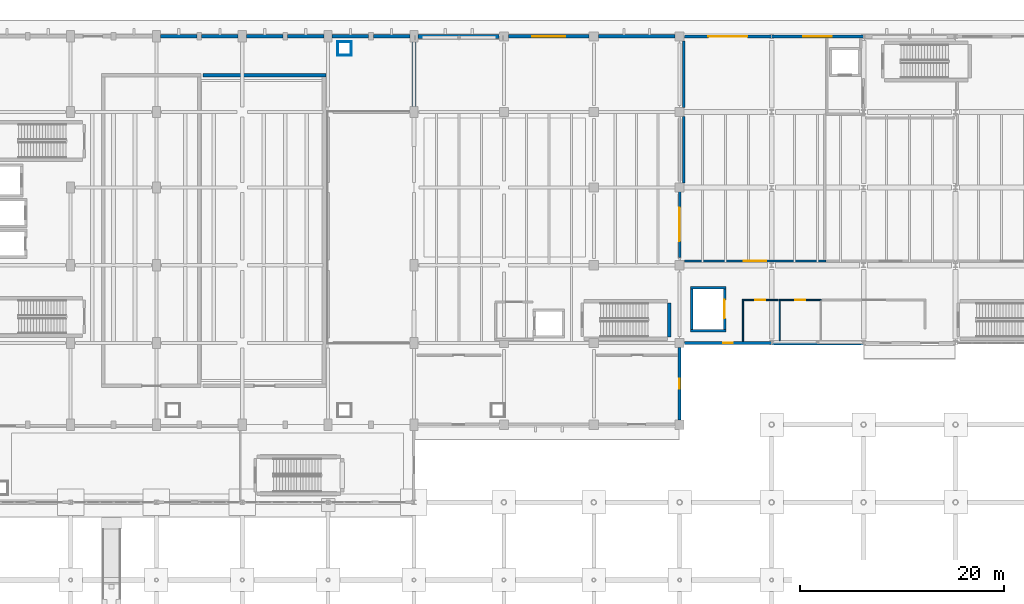
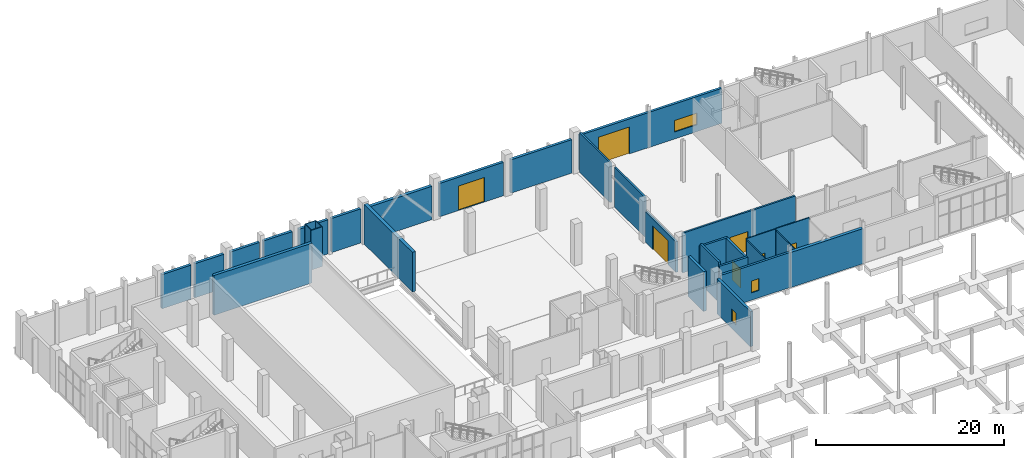
# One storey, part 77 of 95: 33 walls, 7 doors, 3 windows, 10 openings.
"""IFC4 building model written with IfcOpenShell, lengths in metres."""

import ifcopenshell
import ifcopenshell.guid

model = None  # the IFC model being written
_history = None  # IfcOwnerHistory: only IFC2X3 demands one
_inside = {}  # id of a spatial element -> (the spatial element, [elements in it])
_under = {}  # id of a project, library or spatial element -> (it, [spatial elements below it])
_declared = {}  # id of a project -> (the project, [libraries it declares])
_typed = {}  # id of a type object -> (the type object, [elements of that type])
_made_of = {}  # id of a material, layer set ... -> (it, [elements and type objects made of it])


def new_model(schema):
    """Start an empty IFC model of exactly this schema.

    Asked for "IFC4X3", IfcOpenShell would pick the latest addendum, in which some entities
    have other attributes; the version numbers below select the first issue.
    IFC2X3 requires an IfcOwnerHistory on every rooted entity: one is made here for all.
    """
    global model, _history
    if schema == "IFC4X3":
        model = ifcopenshell.file(schema_version=(4, 3, 0, 0))
    else:
        model = ifcopenshell.file(schema=schema)
    _inside.clear()
    _under.clear()
    _declared.clear()
    _typed.clear()
    _made_of.clear()
    _history = None
    if model.schema == "IFC2X3":
        org = make("IfcOrganization", Name="unknown")
        user = make(
            "IfcPersonAndOrganization",
            ThePerson=make("IfcPerson", FamilyName="unknown"),
            TheOrganization=org,
        )
        app = make(
            "IfcApplication",
            ApplicationDeveloper=org,
            Version="unknown",
            ApplicationFullName="unknown",
            ApplicationIdentifier="unknown",
        )
        _history = make(
            "IfcOwnerHistory",
            OwningUser=user,
            OwningApplication=app,
            ChangeAction="ADDED",
            CreationDate=0,
        )
    return model


def make(cls, **values):
    """One entity of the class cls with the attributes given. An attribute that is None is left unset."""
    return model.create_entity(
        cls, **{name: value for name, value in values.items() if value is not None}
    )


def rooted(cls, **values):
    """An entity with a GlobalId (a new one), such as an element, a storey or a relation."""
    return make(cls, GlobalId=ifcopenshell.guid.new(), OwnerHistory=_history, **values)


def si_unit(unit_type, name, prefix=None):
    """IfcSIUnit, for example si_unit("LENGTHUNIT", "METRE", prefix="MILLI")."""
    return make("IfcSIUnit", UnitType=unit_type, Prefix=prefix, Name=name)


def assignment(units):
    """IfcUnitAssignment: the units of a project."""
    return None if units is None else make("IfcUnitAssignment", Units=units)


def point(xyz):
    """IfcCartesianPoint."""
    return None if xyz is None else make("IfcCartesianPoint", Coordinates=xyz)


def direction(xyz):
    """IfcDirection."""
    return None if xyz is None else make("IfcDirection", DirectionRatios=xyz)


def frame(location, z_axis=None, x_axis=None):
    """IfcAxis2Placement3D, a coordinate frame: its origin and axes. An axis left out is left unset."""
    return make(
        "IfcAxis2Placement3D",
        Location=point(location),
        Axis=direction(z_axis),
        RefDirection=direction(x_axis),
    )


def frame_2d(location, x_axis=None):
    """IfcAxis2Placement2D, a coordinate frame in the plane: its origin and x axis."""
    return make(
        "IfcAxis2Placement2D", Location=point(location), RefDirection=direction(x_axis)
    )


def origin():
    """The frame at (0, 0, 0) with its axes left unset."""
    return frame((0.0, 0.0, 0.0))


def place(relative_to, where):
    """IfcLocalPlacement: puts the frame where relative to a parent placement (None: the world)."""
    return make(
        "IfcLocalPlacement", PlacementRelTo=relative_to, RelativePlacement=where
    )


def context(
    kind, dimensions, precision=None, world=None, true_north=None, identifier=None
):
    """IfcGeometricRepresentationContext, for example the 3D "Model" context."""
    return make(
        "IfcGeometricRepresentationContext",
        ContextIdentifier=identifier,
        ContextType=kind,
        CoordinateSpaceDimension=dimensions,
        Precision=precision,
        WorldCoordinateSystem=world,
        TrueNorth=true_north,
    )


def subcontext(parent, identifier, kind, view, scale=None):
    """IfcGeometricRepresentationSubContext, for example "Body" below "Model"."""
    return make(
        "IfcGeometricRepresentationSubContext",
        ContextIdentifier=identifier,
        ContextType=kind,
        ParentContext=parent,
        TargetScale=scale,
        TargetView=view,
    )


def project(units=None, contexts=None):
    """IfcProject with its units and contexts."""
    return rooted(
        "IfcProject",
        Name="project",
        RepresentationContexts=contexts,
        UnitsInContext=assignment(units),
    )


def spatial(cls, under=None, at=None, **own):
    """A site, building, storey or space (cls), placed at a placement, below another one or the project."""
    s = rooted(cls, ObjectPlacement=at, **own)
    if under is not None:
        _under.setdefault(under.id(), (under, []))[1].append(s)
    return s


def profile(cls, at=None, kind="AREA", **sizes):
    """A parametric profile (cls). Its sizes go by their IFC names, for example OverallWidth=200.0."""
    return make(cls, ProfileType=kind, Position=at, **sizes)


def rectangle(**sizes):
    """IfcRectangleProfileDef."""
    return profile("IfcRectangleProfileDef", **sizes)


def extrude(swept, where, along, depth):
    """IfcExtrudedAreaSolid: the profile swept, set in the frame where, extruded along a direction by depth."""
    return make(
        "IfcExtrudedAreaSolid",
        SweptArea=swept,
        Position=where,
        ExtrudedDirection=direction(along),
        Depth=depth,
    )


def shape(context_of_items, identifier, shape_type, items):
    """IfcShapeRepresentation: the items that make up one representation, for example the "Body"."""
    return make(
        "IfcShapeRepresentation",
        ContextOfItems=context_of_items,
        RepresentationIdentifier=identifier,
        RepresentationType=shape_type,
        Items=items,
    )


def material(Name=None, Category=None):
    """IfcMaterial."""
    return make("IfcMaterial", Name=Name, Category=Category)


def layer(
    of_material, thickness, ventilated=None, Name=None, Category=None, Priority=None
):
    """IfcMaterialLayer: one layer of a wall or slab, of a material (None: an air gap)."""
    return make(
        "IfcMaterialLayer",
        Material=of_material,
        LayerThickness=thickness,
        IsVentilated=ventilated,
        Name=Name,
        Category=Category,
        Priority=Priority,
    )


def layer_set(layers, Name=None):
    """IfcMaterialLayerSet."""
    return make("IfcMaterialLayerSet", MaterialLayers=layers, LayerSetName=Name)


def made_of(thing, what):
    """Note that an element or type object is made of a material, layer set ...; save() writes the relation."""
    if what is not None:
        _made_of.setdefault(what.id(), (what, []))[1].append(thing)
    return thing


def type_object(cls, material=None, **own):
    """A type object (cls), such as IfcWallType, which elements share."""
    return made_of(rooted(cls, **own), material)


def element(
    cls,
    number,
    at=None,
    inside=None,
    cuts=None,
    type_object=None,
    material=None,
    context=None,
    identifier="Body",
    shape_type=None,
    held_by="IfcProductDefinitionShape",
    body=None,
    shapes=None,
    **own,
):
    """One element of the class cls, such as IfcWall. Its Tag is "e" and its number.

    at: its placement. inside: the storey or other place that contains it. cuts: it is an
    opening in that element (IfcRelVoidsElement). A single representation is given by context,
    identifier, shape_type and body (its items); several are given by shapes. held_by: the class
    of the entity that holds the representations. save() writes the other relations.
    """
    e = rooted(cls, Tag="e%d" % number, ObjectPlacement=at, **own)
    if body is not None:
        shapes = [shape(context, identifier, shape_type, body)]
    if shapes is not None:
        e.Representation = make(held_by, Representations=shapes)
    if inside is not None:
        _inside.setdefault(inside.id(), (inside, []))[1].append(e)
    if cuts is not None:
        rooted(
            "IfcRelVoidsElement", RelatingBuildingElement=cuts, RelatedOpeningElement=e
        )
    if type_object is not None:
        _typed.setdefault(type_object.id(), (type_object, []))[1].append(e)
    return made_of(e, material)


def fill(opening, filler):
    """IfcRelFillsElement: the door or window that sits in an opening."""
    return rooted(
        "IfcRelFillsElement",
        RelatingOpeningElement=opening,
        RelatedBuildingElement=filler,
    )


def aggregate(whole, parts):
    """IfcRelAggregates: a whole, such as a stair, and the parts it consists of."""
    return rooted("IfcRelAggregates", RelatingObject=whole, RelatedObjects=parts)


def save(model, path):
    """Write the relations noted so far, then the file.

    IfcRelAggregates (storeys below a building ...), IfcRelContainedInSpatialStructure (elements
    in a storey), IfcRelDefinesByType, IfcRelAssociatesMaterial and IfcRelDeclares: one each for
    every whole, place, type object, material and project.
    """
    for whole, parts in _under.values():
        aggregate(whole, parts)
    for where, things in _inside.values():
        rooted(
            "IfcRelContainedInSpatialStructure",
            RelatedElements=things,
            RelatingStructure=where,
        )
    for kind, things in _typed.values():
        rooted("IfcRelDefinesByType", RelatedObjects=things, RelatingType=kind)
    for what, things in _made_of.values():
        rooted("IfcRelAssociatesMaterial", RelatedObjects=things, RelatingMaterial=what)
    for by, libraries in _declared.values():
        rooted("IfcRelDeclares", RelatingContext=by, RelatedDefinitions=libraries)
    model.write(path)


model = new_model("IFC4")

# Units and contexts
model_context = context("Model", 3, precision=1e-05, world=origin(), true_north=direction((0.0, 1.0)))
body_context = subcontext(model_context, "Body", "Model", "MODEL_VIEW")
ifc_project = project(units=[si_unit("LENGTHUNIT", "METRE"), si_unit("AREAUNIT", "SQUARE_METRE"), si_unit("VOLUMEUNIT", "CUBIC_METRE"), si_unit("PLANEANGLEUNIT", "RADIAN"), si_unit("MASSUNIT", "GRAM", prefix="KILO")], contexts=[model_context])

# Site, building, storey
site_placement = place(None, origin())
site = spatial("IfcSite", under=ifc_project, at=site_placement, CompositionType="ELEMENT")
building_placement = place(site_placement, origin())
building = spatial("IfcBuilding", under=site, at=building_placement, Name="Shengluoqiao Park Theatre", CompositionType="ELEMENT")
storey_placement = place(building_placement, origin())
storey = spatial("IfcBuildingStorey", under=building, at=storey_placement, Name="L00", CompositionType="ELEMENT", Elevation=0.0)

# Wall, opening, window
ifc_material_1 = material(Name="Concrete C40", Category="concrete")
ifc_layer_1 = layer(ifc_material_1, 0.27001953125, Name="Concrete C40")
ifc_layer_set_1 = layer_set([ifc_layer_1], Name="Concrete C40")
wall_type_1 = type_object("IfcWallType", Name="ENV-WL-CONC270", PredefinedType="STANDARD", material=ifc_layer_set_1)
wall_1_placement = place(storey_placement, frame((112.85400390625, 84.0, 0.0), z_axis=(0.0, 0.0, 1.0), x_axis=(1.0, 0.0, 0.0)))
wall_1 = element("IfcWall", 1, at=wall_1_placement, inside=storey, type_object=wall_type_1, Name="L00 Exterior Wall 0167", PredefinedType="STANDARD", context=body_context, shape_type="SweptSolid", body=[
    extrude(rectangle(XDim=8.532470703125, YDim=0.27001953125, at=frame_2d((4.26611328125, 0.0))), origin(), (0.0, 0.0, 1.0), 4.550048828125),
])
opening_1_placement = place(wall_1_placement, frame((3.791259765625, 0.0, 0.949951171875)))
opening_1 = element("IfcOpeningElement", 2, at=opening_1_placement, cuts=wall_1, Name="Opening W-08", PredefinedType="OPENING", context=body_context, shape_type="SweptSolid", body=[
    extrude(rectangle(XDim=0.949951171875, YDim=1.550048828125, at=frame_2d((0.47509765625, 0.77490234375))), frame((0.0, 0.14501953125, 0.0), z_axis=(0.0, -1.0, 0.0), x_axis=(1.0, 0.0, 0.0)), (0.0, 0.0, 1.0), 0.2900390625),
])
ifc_material_2 = material(Name="Insulated glass", Category="glass")
window_type_1 = type_object("IfcWindowType", Name="ENV-WIN-W08", PartitioningType="SINGLE_PANEL", PredefinedType="WINDOW", material=ifc_material_2)
window_1_placement = place(opening_1_placement, origin())
window_1 = element("IfcWindow", 3, at=window_1_placement, inside=storey, type_object=window_type_1, Name="L00 Acoustic Window 0021", OverallHeight=1.550048828125, OverallWidth=0.949951171875, PartitioningType="SINGLE_PANEL", PredefinedType="WINDOW", context=body_context, shape_type="SweptSolid", body=[
    extrude(rectangle(XDim=0.949951171875, YDim=1.550048828125, at=frame_2d((0.47509765625, 0.77490234375))), frame((0.0, 0.030029296875, 0.0), z_axis=(0.0, -1.0, 0.0), x_axis=(1.0, 0.0, 0.0)), (0.0, 0.0, 1.0), 0.06005859375),
])
fill(opening_1, window_1)

# Wall, opening, door
ifc_layer_2 = layer(ifc_material_1, 0.31005859375, Name="Concrete C40")
ifc_layer_set_2 = layer_set([ifc_layer_2], Name="Concrete C40")
wall_type_2 = type_object("IfcWallType", Name="ENV-WL-CONC310", PredefinedType="STANDARD", material=ifc_layer_set_2)
wall_2_placement = place(storey_placement, frame((112.85400390625, 114.0, 0.0), z_axis=(0.0, 0.0, 1.0), x_axis=(1.0, 0.0, 0.0)))
wall_2 = element("IfcWall", 4, at=wall_2_placement, inside=storey, type_object=wall_type_2, Name="L00 Exterior Wall 0161", PredefinedType="STANDARD", context=body_context, shape_type="SweptSolid", body=[
    extrude(rectangle(XDim=8.532470703125, YDim=0.31005859375, at=frame_2d((4.26611328125, 0.0))), origin(), (0.0, 0.0, 1.0), 4.550048828125),
])
opening_2_placement = place(wall_2_placement, frame((2.3662109375, 0.0, 0.0)))
opening_2 = element("IfcOpeningElement", 5, at=opening_2_placement, cuts=wall_2, Name="Opening SG-DCK-013", PredefinedType="OPENING", context=body_context, shape_type="SweptSolid", body=[
    extrude(rectangle(XDim=3.800048828125, YDim=3.5, at=frame_2d((1.89990234375, 1.75))), frame((0.0, 0.1650390625, 0.0), z_axis=(0.0, -1.0, 0.0), x_axis=(1.0, 0.0, 0.0)), (0.0, 0.0, 1.0), 0.330078125),
])
ifc_material_3 = material(Name="Steel Q355", Category="steel")
door_type_1 = type_object("IfcDoorType", Name="ENV-GT-DCK380", OperationType="DOUBLE_DOOR_SINGLE_SWING", PredefinedType="GATE", material=ifc_material_3)
door_1_placement = place(opening_2_placement, origin())
door_1 = element("IfcDoor", 6, at=door_1_placement, inside=storey, type_object=door_type_1, Name="Scene Dock Loading Gate SG-DCK-013", OperationType="DOUBLE_DOOR_SINGLE_SWING", OverallHeight=3.5, OverallWidth=3.800048828125, PredefinedType="GATE", context=body_context, shape_type="SweptSolid", body=[
    extrude(rectangle(XDim=3.800048828125, YDim=3.5, at=frame_2d((1.89990234375, 1.75))), frame((0.0, 0.02490234375, 0.0), z_axis=(0.0, -1.0, 0.0), x_axis=(1.0, 0.0, 0.0)), (0.0, 0.0, 1.0), 0.050048828125),
])
fill(opening_2, door_1)

# Wall, opening, window
wall_3_placement = place(storey_placement, frame((121.41357421875, 114.0, 0.0), z_axis=(0.0, 0.0, 1.0), x_axis=(1.0, 0.0, 0.0)))
wall_3 = element("IfcWall", 7, at=wall_3_placement, inside=storey, type_object=wall_type_2, Name="L00 Exterior Wall 0162", PredefinedType="STANDARD", context=body_context, shape_type="SweptSolid", body=[
    extrude(rectangle(XDim=8.972900390625, YDim=0.31005859375, at=frame_2d((4.486328125, 0.0))), origin(), (0.0, 0.0, 1.0), 4.550048828125),
])
opening_3_placement = place(wall_3_placement, frame((3.08642578125, 0.0, 0.89990234375)))
opening_3 = element("IfcOpeningElement", 8, at=opening_3_placement, cuts=wall_3, Name="Opening W-09", PredefinedType="OPENING", context=body_context, shape_type="SweptSolid", body=[
    extrude(rectangle(XDim=2.800048828125, YDim=1.5, at=frame_2d((1.39990234375, 0.75))), frame((0.0, 0.1650390625, 0.0), z_axis=(0.0, -1.0, 0.0), x_axis=(1.0, 0.0, 0.0)), (0.0, 0.0, 1.0), 0.330078125),
])
window_type_2 = type_object("IfcWindowType", Name="ENV-WIN-W09", PartitioningType="TRIPLE_PANEL_VERTICAL", PredefinedType="WINDOW", material=ifc_material_2)
window_2_placement = place(opening_3_placement, origin())
window_2 = element("IfcWindow", 9, at=window_2_placement, inside=storey, type_object=window_type_2, Name="L00 Acoustic Window 0018", OverallHeight=1.5, OverallWidth=2.800048828125, PartitioningType="TRIPLE_PANEL_VERTICAL", PredefinedType="WINDOW", context=body_context, shape_type="SweptSolid", body=[
    extrude(rectangle(XDim=2.800048828125, YDim=1.5, at=frame_2d((1.39990234375, 0.75))), frame((0.0, 0.030029296875, 0.0), z_axis=(0.0, -1.0, 0.0), x_axis=(1.0, 0.0, 0.0)), (0.0, 0.0, 1.0), 0.06005859375),
])
fill(opening_3, window_2)

wall_4_placement = place(storey_placement, frame((112.39990234375, 76.4541015625, 0.0), z_axis=(0.0, 0.0, 1.0), x_axis=(0.0, 1.0, 0.0)))
wall_4 = element("IfcWall", 10, at=wall_4_placement, inside=storey, type_object=wall_type_2, Name="L00 Exterior Wall 0295", PredefinedType="STANDARD", context=body_context, shape_type="SweptSolid", body=[
    extrude(rectangle(XDim=7.091796875, YDim=0.31005859375, at=frame_2d((3.5458984375, 0.0))), origin(), (0.0, 0.0, 1.0), 4.555908203125),
])
opening_4_placement = place(wall_4_placement, frame((3.071044921875, 0.0, 0.949951171875)))
opening_4 = element("IfcOpeningElement", 11, at=opening_4_placement, cuts=wall_4, Name="Opening W-08", PredefinedType="OPENING", context=body_context, shape_type="SweptSolid", body=[
    extrude(rectangle(XDim=0.949951171875, YDim=1.550048828125, at=frame_2d((0.47509765625, 0.77490234375))), frame((0.0, 0.1650390625, 0.0), z_axis=(0.0, -1.0, 0.0), x_axis=(1.0, 0.0, 0.0)), (0.0, 0.0, 1.0), 0.330078125),
])
window_3_placement = place(opening_4_placement, origin())
window_3 = element("IfcWindow", 12, at=window_3_placement, inside=storey, type_object=window_type_1, Name="L00 Acoustic Window 0127", OverallHeight=1.550048828125, OverallWidth=0.949951171875, PartitioningType="SINGLE_PANEL", PredefinedType="WINDOW", context=body_context, shape_type="SweptSolid", body=[
    extrude(rectangle(XDim=0.949951171875, YDim=1.550048828125, at=frame_2d((0.47509765625, 0.77490234375))), frame((0.0, 0.030029296875, 0.0), z_axis=(0.0, -1.0, 0.0), x_axis=(1.0, 0.0, 0.0)), (0.0, 0.0, 1.0), 0.06005859375),
])
fill(opening_4, window_3)

# Walls
ifc_material_4 = material(Name="Concrete C45", Category="concrete")
ifc_layer_3 = layer(ifc_material_4, 0.330078125, Name="Concrete C45")
ifc_layer_set_3 = layer_set([ifc_layer_3], Name="Concrete C45")
wall_type_3 = type_object("IfcWallType", Name="ENV-WL-CONC330", PredefinedType="STANDARD", material=ifc_layer_set_3)
wall_5_placement = place(storey_placement, frame((61.60400390625, 114.0, 0.0), z_axis=(0.0, 0.0, 1.0), x_axis=(1.0, 0.0, 0.0)))
element("IfcWall", 13, at=wall_5_placement, inside=storey, type_object=wall_type_3, Name="L00 Exterior Wall 0005", PredefinedType="STANDARD", context=body_context, shape_type="SweptSolid", body=[
    extrude(rectangle(XDim=3.56689453125, YDim=0.330078125, at=frame_2d((1.783447265625, 0.0))), origin(), (0.0, 0.0, 1.0), 4.427978515625),
])
for number, where, z_axis, x_axis, name in (
    (14, (65.62890625, 114.0, 0.0), (0.0, 0.0, 1.0), (1.0, 0.0, 0.0), "L00 Exterior Wall 0006"),
    (15, (70.00390625, 114.0, 0.0), (0.0, 0.0, 1.0), (1.0, 0.0, 0.0), "L00 Exterior Wall 0007"),
):
    element("IfcWall", number, at=place(storey_placement, frame(where, z_axis=z_axis, x_axis=x_axis)), inside=storey, type_object=wall_type_3, Name=name, PredefinedType="STANDARD", context=body_context, shape_type="SweptSolid", body=[
        extrude(rectangle(XDim=3.567138671875, YDim=0.330078125, at=frame_2d((1.78369140625, 0.0))), origin(), (0.0, 0.0, 1.0), 4.427978515625),
    ])
for number, where, z_axis, x_axis, name in (
    (16, (74.029052734375, 114.0, 0.0), (0.0, 0.0, 1.0), (1.0, 0.0, 0.0), "L00 Exterior Wall 0008"),
    (17, (78.404052734375, 114.0, 0.0), (0.0, 0.0, 1.0), (1.0, 0.0, 0.0), "L00 Exterior Wall 0009"),
):
    element("IfcWall", number, at=place(storey_placement, frame(where, z_axis=z_axis, x_axis=x_axis)), inside=storey, type_object=wall_type_3, Name=name, PredefinedType="STANDARD", context=body_context, shape_type="SweptSolid", body=[
        extrude(rectangle(XDim=3.56689453125, YDim=0.330078125, at=frame_2d((1.783447265625, 0.0))), origin(), (0.0, 0.0, 1.0), 4.427978515625),
    ])
wall_6_placement = place(storey_placement, frame((82.428955078125, 114.0, 0.0), z_axis=(0.0, 0.0, 1.0), x_axis=(1.0, 0.0, 0.0)))
element("IfcWall", 18, at=wall_6_placement, inside=storey, type_object=wall_type_3, Name="L00 Exterior Wall 0010", PredefinedType="STANDARD", context=body_context, shape_type="SweptSolid", body=[
    extrude(rectangle(XDim=3.567138671875, YDim=0.330078125, at=frame_2d((1.78369140625, 0.0))), origin(), (0.0, 0.0, 1.0), 4.427978515625),
])

# Wall, opening, door
wall_7_placement = place(storey_placement, frame((95.654052734375, 114.0, 0.0), z_axis=(0.0, 0.0, 1.0), x_axis=(1.0, 0.0, 0.0)))
wall_7 = element("IfcWall", 19, at=wall_7_placement, inside=storey, type_object=wall_type_3, Name="L00 Exterior Wall 0054", PredefinedType="STANDARD", context=body_context, shape_type="SweptSolid", body=[
    extrude(rectangle(XDim=7.891845703125, YDim=0.330078125, at=frame_2d((3.94580078125, 0.0))), origin(), (0.0, 0.0, 1.0), 4.337890625),
])
opening_5_placement = place(wall_7_placement, frame((2.345947265625, 0.0, 0.0)))
opening_5 = element("IfcOpeningElement", 20, at=opening_5_placement, cuts=wall_7, Name="Opening SG-002", PredefinedType="OPENING", context=body_context, shape_type="SweptSolid", body=[
    extrude(rectangle(XDim=3.199951171875, YDim=3.199951171875, at=frame_2d((1.60009765625, 1.60009765625))), frame((0.0, 0.175048828125, 0.0), z_axis=(0.0, -1.0, 0.0), x_axis=(1.0, 0.0, 0.0)), (0.0, 0.0, 1.0), 0.35009765625),
])
door_type_2 = type_object("IfcDoorType", Name="ENV-GT-DCK320", OperationType="DOUBLE_DOOR_SINGLE_SWING", PredefinedType="GATE", material=ifc_material_3)
door_2_placement = place(opening_5_placement, origin())
door_2 = element("IfcDoor", 21, at=door_2_placement, inside=storey, type_object=door_type_2, Name="Left Side-Stage Acoustic Gate SG-002", OperationType="DOUBLE_DOOR_SINGLE_SWING", OverallHeight=3.199951171875, OverallWidth=3.199951171875, PredefinedType="GATE", context=body_context, shape_type="SweptSolid", body=[
    extrude(rectangle(XDim=3.199951171875, YDim=3.199951171875, at=frame_2d((1.60009765625, 1.60009765625))), frame((0.0, 0.02490234375, 0.0), z_axis=(0.0, -1.0, 0.0), x_axis=(1.0, 0.0, 0.0)), (0.0, 0.0, 1.0), 0.050048828125),
])
fill(opening_5, door_2)

# Walls
wall_8_placement = place(storey_placement, frame((104.4541015625, 114.0, 0.0), z_axis=(0.0, 0.0, 1.0), x_axis=(1.0, 0.0, 0.0)))
element("IfcWall", 22, at=wall_8_placement, inside=storey, type_object=wall_type_3, Name="L00 Exterior Wall 0055", PredefinedType="STANDARD", context=body_context, shape_type="SweptSolid", body=[
    extrude(rectangle(XDim=7.491943359375, YDim=0.330078125, at=frame_2d((3.74609375, 0.0))), origin(), (0.0, 0.0, 1.0), 4.337890625),
])
ifc_layer_4 = layer(ifc_material_4, 0.3798828125, Name="Concrete C45")
ifc_layer_set_4 = layer_set([ifc_layer_4], Name="Concrete C45")
wall_type_4 = type_object("IfcWallType", Name="ENV-WL-CONC380", PredefinedType="STANDARD", material=ifc_layer_set_4)
wall_9_placement = place(storey_placement, frame((86.803955078125, 114.0, 0.0), z_axis=(0.0, 0.0, 1.0), x_axis=(1.0, 0.0, 0.0)))
element("IfcWall", 23, at=wall_9_placement, inside=storey, type_object=wall_type_4, Name="L00 Exterior Wall 0053", PredefinedType="STANDARD", context=body_context, shape_type="SweptSolid", body=[
    extrude(rectangle(XDim=7.942138671875, YDim=0.3798828125, at=frame_2d((3.97119140625, 0.0))), origin(), (0.0, 0.0, 1.0), 4.327880859375),
])
wall_10_placement = place(storey_placement, frame((121.41357421875, 84.0, 0.0), z_axis=(0.0, 0.0, 1.0), x_axis=(1.0, 0.0, 0.0)))
element("IfcWall", 24, at=wall_10_placement, inside=storey, type_object=wall_type_4, Name="L00 Exterior Wall 0168", PredefinedType="STANDARD", context=body_context, shape_type="SweptSolid", body=[
    extrude(rectangle(XDim=8.972900390625, YDim=0.3798828125, at=frame_2d((4.486328125, 0.0))), origin(), (0.0, 0.0, 1.0), 4.550048828125),
])
ifc_material_5 = material(Name="Gypsum acoustic stud", Category="gypsum")
ifc_layer_5 = layer(ifc_material_5, 0.360107421875, Name="Gypsum acoustic stud")
ifc_layer_set_5 = layer_set([ifc_layer_5], Name="Gypsum acoustic stud")
wall_type_5 = type_object("IfcWallType", Name="INT-WL-ACO360", PredefinedType="PARTITIONING", material=ifc_layer_set_5)
wall_11_placement = place(storey_placement, frame((65.780029296875, 110.199951171875, 0.0), z_axis=(0.0, 0.0, 1.0), x_axis=(1.0, 0.0, 0.0)))
element("IfcWall", 25, at=wall_11_placement, inside=storey, type_object=wall_type_5, Name="Main Theatre Stalls Partition N", PredefinedType="PARTITIONING", context=body_context, shape_type="SweptSolid", body=[
    extrude(rectangle(XDim=12.0, YDim=0.360107421875, at=frame_2d((6.0, 0.0))), origin(), (0.0, 0.0, 1.0), 5.159912109375),
])

# Wall, opening, door
ifc_material_6 = material(Name="Concrete blockwork B06", Category="masonry")
ifc_layer_6 = layer(ifc_material_6, 0.2099609375, Name="Concrete blockwork B06")
ifc_layer_set_6 = layer_set([ifc_layer_6], Name="Concrete blockwork B06")
wall_type_6 = type_object("IfcWallType", Name="INT-WL-CMP210", PredefinedType="PARTITIONING", material=ifc_layer_set_6)
wall_12_placement = place(storey_placement, frame((112.85791015625, 92.0, 0.0), z_axis=(0.0, 0.0, 1.0), x_axis=(1.0, 0.0, 0.0)))
wall_12 = element("IfcWall", 26, at=wall_12_placement, inside=storey, type_object=wall_type_6, Name="Scene Dock Partition S", PredefinedType="PARTITIONING", context=body_context, shape_type="SweptSolid", body=[
    extrude(rectangle(XDim=13.84716796875, YDim=0.2099609375, at=frame_2d((6.923583984375, 0.0))), origin(), (0.0, 0.0, 1.0), 5.159912109375),
])
opening_6_placement = place(wall_12_placement, frame((5.83349609375, 0.0, 0.0)))
opening_6 = element("IfcOpeningElement", 27, at=opening_6_placement, cuts=wall_12, Name="Opening D-L00-028", PredefinedType="OPENING", context=body_context, shape_type="SweptSolid", body=[
    extrude(rectangle(XDim=2.179931640625, YDim=2.580078125, at=frame_2d((1.08984375, 1.2900390625))), frame((0.0, 0.114990234375, 0.0), z_axis=(0.0, -1.0, 0.0), x_axis=(1.0, 0.0, 0.0)), (0.0, 0.0, 1.0), 0.22998046875),
])
door_type_3 = type_object("IfcDoorType", Name="INT-DR-WKS218", OperationType="DOUBLE_DOOR_SINGLE_SWING", PredefinedType="DOOR", material=ifc_material_3)
door_3_placement = place(opening_6_placement, origin())
door_3 = element("IfcDoor", 28, at=door_3_placement, inside=storey, type_object=door_type_3, Name="Scene Dock Door D-L00-028", OperationType="DOUBLE_DOOR_SINGLE_SWING", OverallHeight=2.580078125, OverallWidth=2.179931640625, PredefinedType="DOOR", context=body_context, shape_type="SweptSolid", body=[
    extrude(rectangle(XDim=2.179931640625, YDim=2.580078125, at=frame_2d((1.08984375, 1.2900390625))), frame((0.0, 0.02490234375, 0.0), z_axis=(0.0, -1.0, 0.0), x_axis=(1.0, 0.0, 0.0)), (0.0, 0.0, 1.0), 0.050048828125),
])
fill(opening_6, door_3)

# Walls
for number, where, z_axis, x_axis, name in (
    (29, (112.800048828125, 99.656005859375, 0.0), (0.0, 0.0, 1.0), (0.0, 1.0, 0.0), "Scene Dock Partition W"),
    (30, (112.800048828125, 107.055908203125, 0.0), (0.0, 0.0, 1.0), (0.0, 1.0, 0.0), "Scene Dock Partition W"),
):
    element("IfcWall", number, at=place(storey_placement, frame(where, z_axis=z_axis, x_axis=x_axis)), inside=storey, type_object=wall_type_6, Name=name, PredefinedType="PARTITIONING", context=body_context, shape_type="SweptSolid", body=[
        extrude(rectangle(XDim=6.488037109375, YDim=0.2099609375, at=frame_2d((3.244140625, 0.0))), origin(), (0.0, 0.0, 1.0), 5.159912109375),
    ])
ifc_material_7 = material(Name="Gypsum shaftwall", Category="gypsum")
ifc_layer_7 = layer(ifc_material_7, 0.094970703125, Name="Gypsum shaftwall")
ifc_layer_set_7 = layer_set([ifc_layer_7], Name="Gypsum shaftwall")
wall_type_7 = type_object("IfcWallType", Name="INT-WL-RSR095", PredefinedType="PARTITIONING", material=ifc_layer_set_7)
for number, where, z_axis, x_axis, name in (
    (31, (78.905029296875, 112.14990234375, 0.0), (0.0, 0.0, 1.0), (1.0, 0.0, 0.0), "L00 Service Riser Shaftwall 025"),
    (32, (78.905029296875, 113.469970703125, 0.0), (0.0, 0.0, 1.0), (1.0, 0.0, 0.0), "L00 Service Riser Shaftwall 026"),
):
    element("IfcWall", number, at=place(storey_placement, frame(where, z_axis=z_axis, x_axis=x_axis)), inside=storey, type_object=wall_type_7, Name=name, PredefinedType="PARTITIONING", context=body_context, shape_type="SweptSolid", body=[
        extrude(rectangle(XDim=1.409912109375, YDim=0.094970703125, at=frame_2d((0.705078125, 0.0))), origin(), (0.0, 0.0, 1.0), 5.159912109375),
    ])
for number, where, z_axis, x_axis, name in (
    (33, (78.949951171875, 112.205078125, 0.0), (0.0, 0.0, 1.0), (0.0, 1.0, 0.0), "L00 Service Riser Shaftwall 027"),
    (34, (80.27001953125, 112.205078125, 0.0), (0.0, 0.0, 1.0), (0.0, 1.0, 0.0), "L00 Service Riser Shaftwall 028"),
):
    element("IfcWall", number, at=place(storey_placement, frame(where, z_axis=z_axis, x_axis=x_axis)), inside=storey, type_object=wall_type_7, Name=name, PredefinedType="PARTITIONING", context=body_context, shape_type="SweptSolid", body=[
        extrude(rectangle(XDim=1.2099609375, YDim=0.094970703125, at=frame_2d((0.60498046875, 0.0))), origin(), (0.0, 0.0, 1.0), 5.159912109375),
    ])
ifc_layer_8 = layer(ifc_material_1, 0.260009765625, Name="Concrete C40")
ifc_layer_set_8 = layer_set([ifc_layer_8], Name="Concrete C40")
wall_type_8 = type_object("IfcWallType", Name="INT-WL-SHF260", PredefinedType="STANDARD", material=ifc_layer_set_8)
for number, where, z_axis, x_axis, name in (
    (35, (113.469970703125, 85.199951171875, 0.0), (0.0, 0.0, 1.0), (1.0, 0.0, 0.0), "L00 FL1 Lift Shaft Wall South"),
    (36, (113.469970703125, 89.39990234375, 0.0), (0.0, 0.0, 1.0), (1.0, 0.0, 0.0), "L00 FL1 Lift Shaft Wall North"),
):
    element("IfcWall", number, at=place(storey_placement, frame(where, z_axis=z_axis, x_axis=x_axis)), inside=storey, type_object=wall_type_8, Name=name, PredefinedType="STANDARD", context=body_context, shape_type="SweptSolid", body=[
        extrude(rectangle(XDim=3.4599609375, YDim=0.260009765625, at=frame_2d((1.72998046875, 0.0))), origin(), (0.0, 0.0, 1.0), 4.7880859375),
    ])
wall_13_placement = place(storey_placement, frame((113.60009765625, 85.3359375, 0.0), z_axis=(0.0, 0.0, 1.0), x_axis=(0.0, 1.0, 0.0)))
element("IfcWall", 37, at=wall_13_placement, inside=storey, type_object=wall_type_8, Name="L00 FL1 Lift Shaft Wall West", PredefinedType="STANDARD", context=body_context, shape_type="SweptSolid", body=[
    extrude(rectangle(XDim=3.927978515625, YDim=0.260009765625, at=frame_2d((1.9638671875, 0.0))), origin(), (0.0, 0.0, 1.0), 5.159912109375),
])

# Wall, opening, door
wall_14_placement = place(storey_placement, frame((116.800048828125, 85.3359375, 0.0), z_axis=(0.0, 0.0, 1.0), x_axis=(0.0, 1.0, 0.0)))
wall_14 = element("IfcWall", 38, at=wall_14_placement, inside=storey, type_object=wall_type_8, Name="L00 FL1 Lift Shaft Wall East", PredefinedType="STANDARD", context=body_context, shape_type="SweptSolid", body=[
    extrude(rectangle(XDim=3.927978515625, YDim=0.260009765625, at=frame_2d((1.9638671875, 0.0))), origin(), (0.0, 0.0, 1.0), 4.7880859375),
])
opening_7_placement = place(wall_14_placement, frame((1.053955078125, 0.0, 0.0)))
opening_7 = element("IfcOpeningElement", 39, at=opening_7_placement, cuts=wall_14, Name="Opening LD-FL1-L00", PredefinedType="OPENING", context=body_context, shape_type="SweptSolid", body=[
    extrude(rectangle(XDim=1.820068359375, YDim=2.5, at=frame_2d((0.91015625, 1.25))), frame((0.0, 0.139892578125, 0.0), z_axis=(0.0, -1.0, 0.0), x_axis=(1.0, 0.0, 0.0)), (0.0, 0.0, 1.0), 0.280029296875),
])
ifc_material_8 = material(Name="Stainless steel 304", Category="steel")
door_type_4 = type_object("IfcDoorType", Name="INT-DR-LD182", OperationType="SLIDING_TO_LEFT", PredefinedType="DOOR", material=ifc_material_8)
door_4_placement = place(opening_7_placement, origin())
door_4 = element("IfcDoor", 40, at=door_4_placement, inside=storey, type_object=door_type_4, Name="FL1 Lift Landing Door LD-FL1-L00", OperationType="SLIDING_TO_LEFT", OverallHeight=2.5, OverallWidth=1.820068359375, PredefinedType="DOOR", context=body_context, shape_type="SweptSolid", body=[
    extrude(rectangle(XDim=1.820068359375, YDim=2.5, at=frame_2d((0.91015625, 1.25))), frame((0.0, 0.02490234375, 0.0), z_axis=(0.0, -1.0, 0.0), x_axis=(1.0, 0.0, 0.0)), (0.0, 0.0, 1.0), 0.050048828125),
])
fill(opening_7, door_4)

wall_15_placement = place(storey_placement, frame((112.39990234375, 92.360107421875, 0.0), z_axis=(0.0, 0.0, 1.0), x_axis=(0.0, 1.0, 0.0)))
wall_15 = element("IfcWall", 41, at=wall_15_placement, inside=storey, type_object=wall_type_8, Name="L00 Acoustic Stage-Dock Wall 01", PredefinedType="STANDARD", context=body_context, shape_type="SweptSolid", body=[
    extrude(rectangle(XDim=6.47998046875, YDim=0.260009765625, at=frame_2d((3.239990234375, 0.0))), origin(), (0.0, 0.0, 1.0), 3.98095703125),
])
opening_8_placement = place(wall_15_placement, frame((1.590087890625, 0.0, 0.0)))
opening_8 = element("IfcOpeningElement", 42, at=opening_8_placement, cuts=wall_15, Name="Opening SG-INT-01", PredefinedType="OPENING", context=body_context, shape_type="SweptSolid", body=[
    extrude(rectangle(XDim=3.300048828125, YDim=3.10009765625, at=frame_2d((1.64990234375, 1.550048828125))), frame((0.0, 0.139892578125, 0.0), z_axis=(0.0, -1.0, 0.0), x_axis=(1.0, 0.0, 0.0)), (0.0, 0.0, 1.0), 0.280029296875),
])
door_type_5 = type_object("IfcDoorType", Name="INT-GT-STG330", OperationType="DOUBLE_DOOR_SINGLE_SWING", PredefinedType="GATE", material=ifc_material_3)
door_5_placement = place(opening_8_placement, origin())
door_5 = element("IfcDoor", 43, at=door_5_placement, inside=storey, type_object=door_type_5, Name="L00 Acoustic Scenery Transfer Gate SG-INT-01", OperationType="DOUBLE_DOOR_SINGLE_SWING", OverallHeight=3.10009765625, OverallWidth=3.300048828125, PredefinedType="GATE", context=body_context, shape_type="SweptSolid", body=[
    extrude(rectangle(XDim=3.300048828125, YDim=3.10009765625, at=frame_2d((1.64990234375, 1.550048828125))), frame((0.0, 0.02490234375, 0.0), z_axis=(0.0, -1.0, 0.0), x_axis=(1.0, 0.0, 0.0)), (0.0, 0.0, 1.0), 0.050048828125),
])
fill(opening_8, door_5)

ifc_material_9 = material(Name="Moisture-resistant board")
ifc_layer_9 = layer(ifc_material_9, 0.114990234375, Name="Moisture-resistant board")
ifc_layer_set_9 = layer_set([ifc_layer_9], Name="Moisture-resistant board")
wall_type_9 = type_object("IfcWallType", Name="INT-WL-WCP115", PredefinedType="PARTITIONING", material=ifc_layer_set_9)
wall_16_placement = place(storey_placement, frame((122.142578125, 88.199951171875, 0.0), z_axis=(0.0, 0.0, 1.0), x_axis=(1.0, 0.0, 0.0)))
wall_16 = element("IfcWall", 44, at=wall_16_placement, inside=storey, type_object=wall_type_9, Name="Backstage Staff WC Partition N", PredefinedType="PARTITIONING", context=body_context, shape_type="SweptSolid", body=[
    extrude(rectangle(XDim=4.114990234375, YDim=0.114990234375, at=frame_2d((2.0576171875, 0.0))), origin(), (0.0, 0.0, 1.0), 4.7880859375),
])
opening_9_placement = place(wall_16_placement, frame((1.577392578125, 0.0, 0.0)))
opening_9 = element("IfcOpeningElement", 45, at=opening_9_placement, cuts=wall_16, Name="Opening D-L00-015", PredefinedType="OPENING", context=body_context, shape_type="SweptSolid", body=[
    extrude(rectangle(XDim=0.9599609375, YDim=2.080078125, at=frame_2d((0.47998046875, 1.0400390625))), frame((0.0, 0.0673828125, 0.0), z_axis=(0.0, -1.0, 0.0), x_axis=(1.0, 0.0, 0.0)), (0.0, 0.0, 1.0), 0.135009765625),
])
ifc_material_10 = material(Name="Moisture-resistant laminate")
door_type_6 = type_object("IfcDoorType", Name="INT-DR-ACC096", OperationType="NOTDEFINED", PredefinedType="DOOR", material=ifc_material_10)
door_6_placement = place(opening_9_placement, origin())
door_6 = element("IfcDoor", 46, at=door_6_placement, inside=storey, type_object=door_type_6, Name="Backstage Staff WC Door D-L00-015", OperationType="SINGLE_SWING_LEFT", OverallHeight=2.080078125, OverallWidth=0.9599609375, PredefinedType="DOOR", context=body_context, shape_type="SweptSolid", body=[
    extrude(rectangle(XDim=0.9599609375, YDim=2.080078125, at=frame_2d((0.47998046875, 1.0400390625))), frame((0.0, 0.02490234375, 0.0), z_axis=(0.0, -1.0, 0.0), x_axis=(1.0, 0.0, 0.0)), (0.0, 0.0, 1.0), 0.050048828125),
])
fill(opening_9, door_6)

# Wall
wall_17_placement = place(storey_placement, frame((122.199951171875, 84.197998046875, 0.0), z_axis=(0.0, 0.0, 1.0), x_axis=(0.0, 1.0, 0.0)))
element("IfcWall", 47, at=wall_17_placement, inside=storey, type_object=wall_type_9, Name="Backstage Staff WC Partition W", PredefinedType="PARTITIONING", context=body_context, shape_type="SweptSolid", body=[
    extrude(rectangle(XDim=3.9384765625, YDim=0.114990234375, at=frame_2d((1.96923828125, 0.0))), origin(), (0.0, 0.0, 1.0), 4.550048828125),
])

# Wall, opening, door
wall_18_placement = place(storey_placement, frame((118.54248046875, 88.199951171875, 0.0), z_axis=(0.0, 0.0, 1.0), x_axis=(1.0, 0.0, 0.0)))
wall_18 = element("IfcWall", 48, at=wall_18_placement, inside=storey, type_object=wall_type_9, Name="Backstage Accessible WC Partition N", PredefinedType="PARTITIONING", context=body_context, shape_type="SweptSolid", body=[
    extrude(rectangle(XDim=3.5224609375, YDim=0.114990234375, at=frame_2d((1.76123046875, 0.0))), origin(), (0.0, 0.0, 1.0), 4.748046875),
])
opening_10_placement = place(wall_18_placement, frame((1.28125, 0.0, 0.0)))
opening_10 = element("IfcOpeningElement", 49, at=opening_10_placement, cuts=wall_18, Name="Opening D-L00-016", PredefinedType="OPENING", context=body_context, shape_type="SweptSolid", body=[
    extrude(rectangle(XDim=0.9599609375, YDim=2.080078125, at=frame_2d((0.47998046875, 1.0400390625))), frame((0.0, 0.0673828125, 0.0), z_axis=(0.0, -1.0, 0.0), x_axis=(1.0, 0.0, 0.0)), (0.0, 0.0, 1.0), 0.135009765625),
])
door_7_placement = place(opening_10_placement, origin())
door_7 = element("IfcDoor", 50, at=door_7_placement, inside=storey, type_object=door_type_6, Name="Backstage Accessible WC Door D-L00-016", OperationType="SINGLE_SWING_RIGHT", OverallHeight=2.080078125, OverallWidth=0.9599609375, PredefinedType="DOOR", context=body_context, shape_type="SweptSolid", body=[
    extrude(rectangle(XDim=0.9599609375, YDim=2.080078125, at=frame_2d((0.47998046875, 1.0400390625))), frame((0.0, 0.02490234375, 0.0), z_axis=(0.0, -1.0, 0.0), x_axis=(1.0, 0.0, 0.0)), (0.0, 0.0, 1.0), 0.050048828125),
])
fill(opening_10, door_7)

# Walls
wall_19_placement = place(storey_placement, frame((118.60009765625, 84.14306640625, 0.0), z_axis=(0.0, 0.0, 1.0), x_axis=(0.0, 1.0, 0.0)))
element("IfcWall", 51, at=wall_19_placement, inside=storey, type_object=wall_type_9, Name="Backstage Accessible WC Partition W", PredefinedType="PARTITIONING", context=body_context, shape_type="SweptSolid", body=[
    extrude(rectangle(XDim=3.993408203125, YDim=0.114990234375, at=frame_2d((1.99658203125, 0.0))), origin(), (0.0, 0.0, 1.0), 4.550048828125),
])
ifc_material_11 = material(Name="Concrete C50", Category="concrete")
ifc_layer_10 = layer(ifc_material_11, 0.35009765625, Name="Concrete C50")
ifc_layer_set_10 = layer_set([ifc_layer_10], Name="Concrete C50")
wall_type_10 = type_object("IfcWallType", Name="STR-SW-CORE350", PredefinedType="SHEAR", material=ifc_layer_set_10)
wall_20_placement = place(storey_placement, frame((111.3798828125, 84.60009765625, 0.0), z_axis=(0.0, 0.0, 1.0), x_axis=(0.0, 1.0, 0.0)))
element("IfcWall", 52, at=wall_20_placement, inside=storey, type_object=wall_type_10, Name="L00 ST-05 Core Far Shear Wall 0089", PredefinedType="SHEAR", context=body_context, shape_type="SweptSolid", body=[
    extrude(rectangle(XDim=3.2998046875, YDim=0.35009765625, at=frame_2d((1.64990234375, 0.0))), origin(), (0.0, 0.0, 1.0), 5.159912109375),
])
ifc_layer_11 = layer(ifc_material_11, 0.39990234375, Name="Concrete C50")
ifc_layer_set_11 = layer_set([ifc_layer_11], Name="Concrete C50")
wall_type_11 = type_object("IfcWallType", Name="STR-SW-PROSC400", PredefinedType="SHEAR", material=ifc_layer_set_11)
wall_21_placement = place(storey_placement, frame((86.39990234375, 103.199951171875, 0.0), z_axis=(0.0, 0.0, 1.0), x_axis=(0.0, 1.0, 0.0)))
element("IfcWall", 53, at=wall_21_placement, inside=storey, type_object=wall_type_11, Name="L00 Proscenium Fire Wall North Pier 0018", PredefinedType="SHEAR", context=body_context, shape_type="SweptSolid", body=[
    extrude(rectangle(XDim=10.300048828125, YDim=0.39990234375, at=frame_2d((5.14990234375, 0.0))), origin(), (0.0, 0.0, 1.0), 5.159912109375),
])

save(model, "model.ifc")
